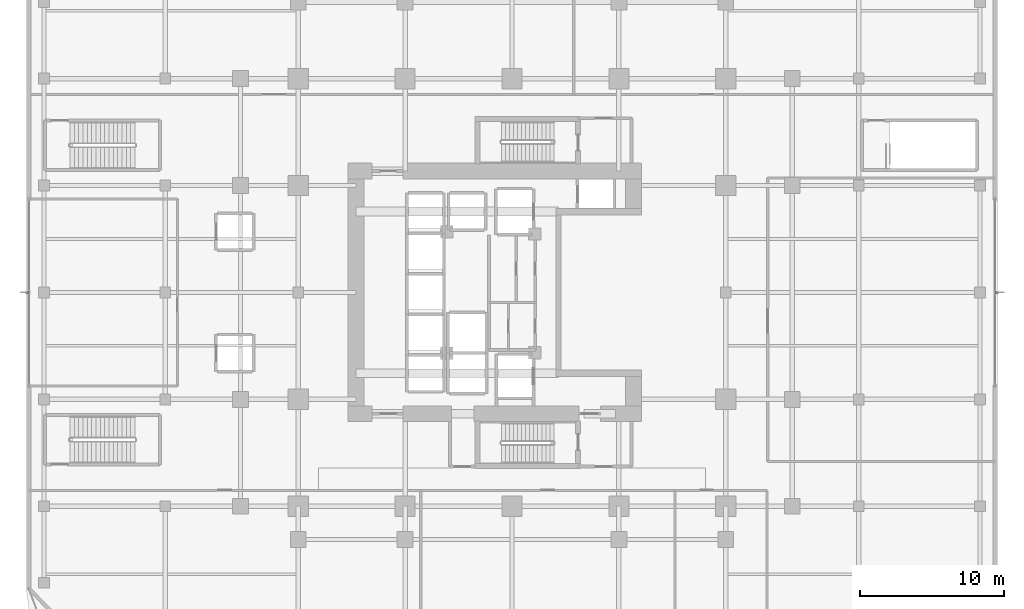
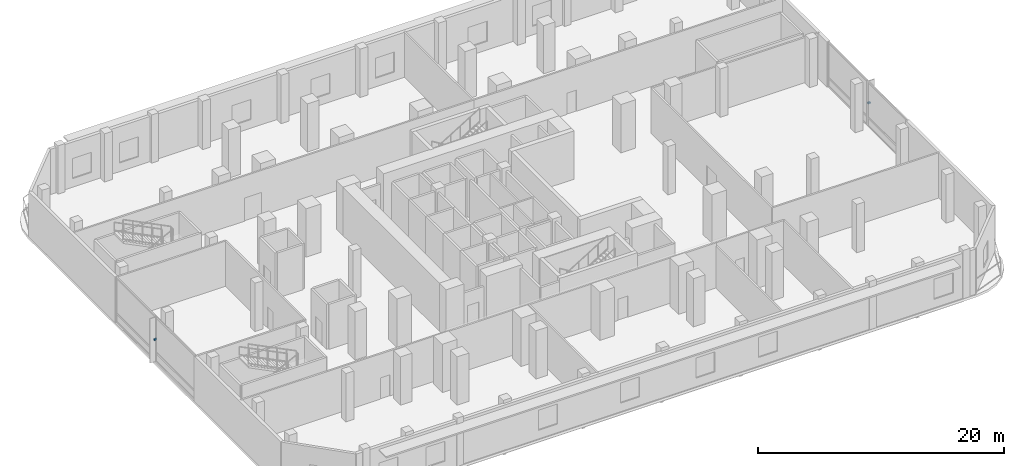
# One storey, part 13 of 19: 2 discrete accessories.
"""IFC4 building model written with IfcOpenShell, lengths in metres."""

from ifc_helpers import new_model, si_unit, direction, frame, origin, origin_2d, place, context, subcontext, project, spatial, rectangle, extrude, material, type_object, element, save


model = new_model("IFC4")

# Units and contexts
model_context = context("Model", 3, precision=1e-05, world=origin(), true_north=direction((0.0, 1.0)))
body_context = subcontext(model_context, "Body", "Model", "MODEL_VIEW")
ifc_project = project(units=[si_unit("LENGTHUNIT", "METRE"), si_unit("AREAUNIT", "SQUARE_METRE"), si_unit("VOLUMEUNIT", "CUBIC_METRE"), si_unit("PLANEANGLEUNIT", "RADIAN"), si_unit("MASSUNIT", "GRAM", prefix="KILO")], contexts=[model_context])

# Site, building, storey
site_placement = place(None, origin())
site = spatial("IfcSite", under=ifc_project, at=site_placement, CompositionType="ELEMENT")
building_placement = place(site_placement, origin())
building = spatial("IfcBuilding", under=site, at=building_placement, Name="Khorvyn Point Tower", CompositionType="ELEMENT")
storey_placement = place(building_placement, frame((0.0, 0.0, 21.60009765625)))
storey = spatial("IfcBuildingStorey", under=building, at=storey_placement, Name="L06", CompositionType="ELEMENT", Elevation=21.60009765625)

# Discrete accessories
ifc_material = material(Name="Stainless steel 1.4401", Category="steel")
discrete_accessory_type = type_object("IfcDiscreteAccessoryType", Name="Stainless Steel 316 Facade Fin Fixing Bracket", PredefinedType="BRACKET", material=ifc_material)
for number, where, z_axis, x_axis, name in (
    (1, (-33.550048828125, 0.0, 2.16015625), (0.0, 0.0, 1.0), (0.0, 1.0, 0.0), "L06 Solar Fin Fixing Bracket 01"),
    (2, (33.550048828125, 0.0, 2.16015625), (0.0, 0.0, 1.0), (0.0, 1.0, 0.0), "L06 Solar Fin Fixing Bracket 01"),
):
    element("IfcDiscreteAccessory", number, at=place(storey_placement, frame(where, z_axis=z_axis, x_axis=x_axis)), inside=storey, type_object=discrete_accessory_type, Name=name, PredefinedType="BRACKET", context=body_context, shape_type="SweptSolid", body=[
        extrude(rectangle(XDim=0.159912109375, YDim=0.260009765625, at=origin_2d()), origin(), (0.0, 0.0, 1.0), 0.159912109375),
    ])

save(model, "model.ifc")
